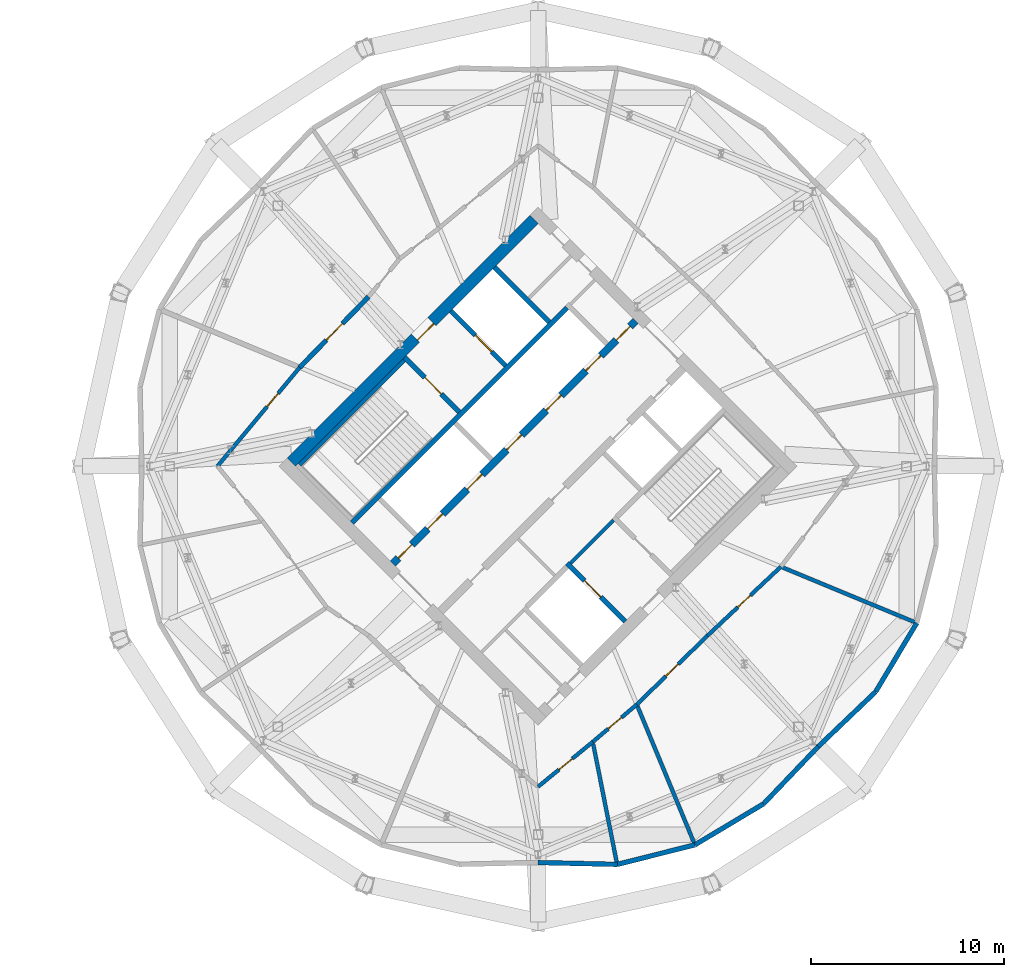
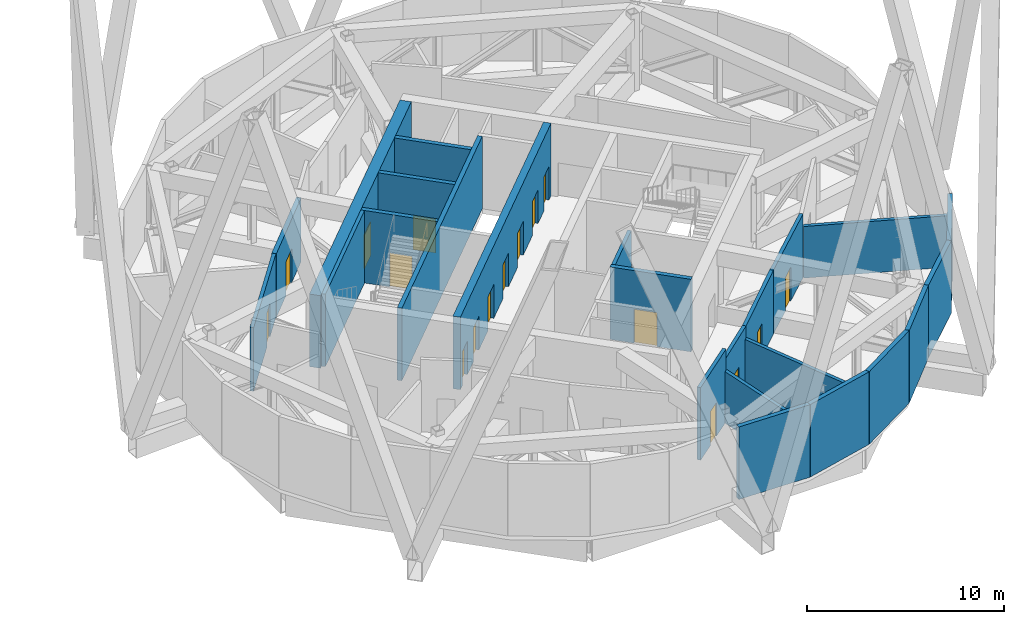
# One storey, part 16 of 19: 24 walls, 17 doors, 17 openings.
"""IFC4 building model written with IfcOpenShell, lengths in metres."""

from ifc_helpers import new_model, si_unit, direction, frame, frame_2d, origin, place, context, subcontext, project, spatial, rectangle, extrude, material, layer, layer_set, type_object, element, fill, save


model = new_model("IFC4")

# Units and contexts
model_context = context("Model", 3, precision=1e-05, world=origin(), true_north=direction((0.0, 1.0)))
body_context = subcontext(model_context, "Body", "Model", "MODEL_VIEW")
ifc_project = project(units=[si_unit("LENGTHUNIT", "METRE"), si_unit("AREAUNIT", "SQUARE_METRE"), si_unit("VOLUMEUNIT", "CUBIC_METRE"), si_unit("PLANEANGLEUNIT", "RADIAN"), si_unit("MASSUNIT", "GRAM", prefix="KILO")], contexts=[model_context])

# Site, building, storey
site_placement = place(None, origin())
site = spatial("IfcSite", under=ifc_project, at=site_placement, CompositionType="ELEMENT")
building_placement = place(site_placement, origin())
building = spatial("IfcBuilding", under=site, at=building_placement, Name="Ogive Gate Towers", CompositionType="ELEMENT")
storey_placement = place(building_placement, frame((0.0, 0.0, 216.300048828125)))
storey = spatial("IfcBuildingStorey", under=building, at=storey_placement, Name="L52", CompositionType="ELEMENT", Elevation=216.300048828125)

# Walls
ifc_material_1 = material(Name="Masonry blockwork", Category="masonry")
ifc_layer_1 = layer(ifc_material_1, 0.199951171875)
ifc_layer_set_1 = layer_set([ifc_layer_1], Name="Blockwork wall 200 mm")
wall_type_1 = type_object("IfcWallType", Name="Blockwork wall 200 mm", PredefinedType="PARTITIONING", material=ifc_layer_set_1)
wall_1_placement = place(storey_placement, frame((37.679443359375, -5.0380859375, 0.0), z_axis=(0.0, 0.0, 1.0), x_axis=(0.707106781187, 0.707106781187, 0.0)))
element("IfcWall", 1, at=wall_1_placement, inside=storey, type_object=wall_type_1, Name="T2 L52 Blockwork wall 200 mm", PredefinedType="PARTITIONING", context=body_context, shape_type="SweptSolid", body=[
    extrude(rectangle(XDim=3.14990234375, YDim=0.199951171875, at=frame_2d((1.574951171875, 0.0))), origin(), (0.0, 0.0, 1.0), 4.5),
])
ifc_material_2 = material(Name="Fire-rated block compartment wall")
ifc_layer_2 = layer(ifc_material_2, 0.199951171875)
ifc_layer_set_2 = layer_set([ifc_layer_2], Name="Compartment wall 200")
wall_type_2 = type_object("IfcWallType", Name="Compartment wall 200", PredefinedType="PARTITIONING", material=ifc_layer_set_2)
wall_2_placement = place(storey_placement, frame((40.10595703125, -20.685791015625, 0.0), z_axis=(0.0, 0.0, 1.0), x_axis=(-0.19470203168, 0.980862436257, 0.0)))
element("IfcWall", 2, at=wall_2_placement, inside=storey, type_object=wall_type_2, Name="Partition T2-L52-009", PredefinedType="PARTITIONING", context=body_context, shape_type="SweptSolid", body=[
    extrude(rectangle(XDim=6.40869140625, YDim=0.199951171875, at=frame_2d((3.204345703125, 0.0))), origin(), (0.0, 0.0, 1.0), 3.199951171875),
])
wall_3_placement = place(storey_placement, frame((44.147216796875, -19.66943359375, 0.0), z_axis=(0.0, 0.0, 1.0), x_axis=(-0.382669406082, 0.923885342263, 0.0)))
element("IfcWall", 3, at=wall_3_placement, inside=storey, type_object=wall_type_2, Name="Partition T2-L52-010", PredefinedType="PARTITIONING", context=body_context, shape_type="SweptSolid", body=[
    extrude(rectangle(XDim=7.80712890625, YDim=0.199951171875, at=frame_2d((3.903564453125, 0.0))), origin(), (0.0, 0.0, 1.0), 3.199951171875),
])
wall_4_placement = place(storey_placement, frame((55.66943359375, -8.147216796875, 0.0), z_axis=(0.0, 0.0, 1.0), x_axis=(-0.923887293008, 0.382664696331, 0.0)))
element("IfcWall", 4, at=wall_4_placement, inside=storey, type_object=wall_type_2, Name="Partition T2-L52-011", PredefinedType="PARTITIONING", context=body_context, shape_type="SweptSolid", body=[
    extrude(rectangle(XDim=7.55712890625, YDim=0.199951171875, at=frame_2d((3.778564453125, 0.0))), origin(), (0.0, 0.0, 1.0), 3.199951171875),
])

# Wall, opening, door
wall_5_placement = place(storey_placement, frame((23.635986328125, 5.121337890625, 0.0), z_axis=(0.0, 0.0, 1.0), x_axis=(-0.640015050964, -0.768362371892, 0.0)))
wall_5 = element("IfcWall", 5, at=wall_5_placement, inside=storey, type_object=wall_type_2, Name="Partition T2-L52-019", PredefinedType="PARTITIONING", context=body_context, shape_type="SweptSolid", body=[
    extrude(rectangle(XDim=6.665283203125, YDim=0.199951171875, at=frame_2d((3.33251953125, 0.0))), origin(), (0.0, 0.0, 1.0), 3.949951171875),
])
opening_1_placement = place(wall_5_placement, frame((1.75, 0.0, 0.0)))
opening_1 = element("IfcOpeningElement", 6, at=opening_1_placement, cuts=wall_5, Name="Opening T2-L52-D08", PredefinedType="OPENING", context=body_context, shape_type="SweptSolid", body=[
    extrude(rectangle(XDim=0.89990234375, YDim=2.10009765625, at=frame_2d((0.449951171875, 1.050048828125))), frame((0.0, 0.10986328125, 0.0), z_axis=(0.0, -1.0, 0.0), x_axis=(1.0, 0.0, 0.0)), (0.0, 0.0, 1.0), 0.219970703125),
])
ifc_material_3 = material(Name="Steel fire door", Category="steel")
door_type_1 = type_object("IfcDoorType", Name="Fire door 900 FD30S", OperationType="NOTDEFINED", PredefinedType="DOOR", material=ifc_material_3)
door_1_placement = place(opening_1_placement, origin())
door_1 = element("IfcDoor", 7, at=door_1_placement, inside=storey, type_object=door_type_1, Name="Door T2-L52-D08", OperationType="SINGLE_SWING_RIGHT", OverallHeight=2.10009765625, OverallWidth=0.89990234375, PredefinedType="DOOR", context=body_context, shape_type="SweptSolid", body=[
    extrude(rectangle(XDim=0.89990234375, YDim=2.10009765625, at=frame_2d((0.449951171875, 1.050048828125))), frame((0.0, 0.02490234375, 0.0), z_axis=(0.0, -1.0, 0.0), x_axis=(1.0, 0.0, 0.0)), (0.0, 0.0, 1.0), 0.050048828125),
])
fill(opening_1, door_1)

wall_6_placement = place(storey_placement, frame((36.0, -16.6298828125, 0.0), z_axis=(0.0, 0.0, 1.0), x_axis=(0.773201275561, 0.634160695306, 0.0)))
wall_6 = element("IfcWall", 8, at=wall_6_placement, inside=storey, type_object=wall_type_2, Name="Partition T2-L52-025", PredefinedType="PARTITIONING", context=body_context, shape_type="SweptSolid", body=[
    extrude(rectangle(XDim=3.671630859375, YDim=0.199951171875, at=frame_2d((1.8359375, 0.0))), origin(), (0.0, 0.0, 1.0), 4.5),
])
opening_2_placement = place(wall_6_placement, frame((1.39990234375, 0.0, 0.0)))
opening_2 = element("IfcOpeningElement", 9, at=opening_2_placement, cuts=wall_6, Name="Opening T2-L52-D14", PredefinedType="OPENING", context=body_context, shape_type="SweptSolid", body=[
    extrude(rectangle(XDim=0.89990234375, YDim=2.10009765625, at=frame_2d((0.449951171875, 1.050048828125))), frame((0.0, 0.10986328125, 0.0), z_axis=(0.0, -1.0, 0.0), x_axis=(1.0, 0.0, 0.0)), (0.0, 0.0, 1.0), 0.219970703125),
])
door_2_placement = place(opening_2_placement, origin())
door_2 = element("IfcDoor", 10, at=door_2_placement, inside=storey, type_object=door_type_1, Name="Door T2-L52-D14", OperationType="SINGLE_SWING_LEFT", OverallHeight=2.10009765625, OverallWidth=0.89990234375, PredefinedType="DOOR", context=body_context, shape_type="SweptSolid", body=[
    extrude(rectangle(XDim=0.89990234375, YDim=2.10009765625, at=frame_2d((0.449951171875, 1.050048828125))), frame((0.0, 0.02490234375, 0.0), z_axis=(0.0, -1.0, 0.0), x_axis=(1.0, 0.0, 0.0)), (0.0, 0.0, 1.0), 0.050048828125),
])
fill(opening_2, door_2)

wall_7_placement = place(storey_placement, frame((38.8388671875, -14.301513671875, 0.0), z_axis=(0.0, 0.0, 1.0), x_axis=(0.762367707989, 0.64714409355, 0.0)))
wall_7 = element("IfcWall", 11, at=wall_7_placement, inside=storey, type_object=wall_type_2, Name="Partition T2-L52-026", PredefinedType="PARTITIONING", context=body_context, shape_type="SweptSolid", body=[
    extrude(rectangle(XDim=2.993896484375, YDim=0.199951171875, at=frame_2d((1.4970703125, 0.0))), origin(), (0.0, 0.0, 1.0), 3.949951171875),
])
opening_3_placement = place(wall_7_placement, frame((1.050048828125, 0.0, 0.0)))
opening_3 = element("IfcOpeningElement", 12, at=opening_3_placement, cuts=wall_7, Name="Opening T2-L52-D15", PredefinedType="OPENING", context=body_context, shape_type="SweptSolid", body=[
    extrude(rectangle(XDim=0.89990234375, YDim=2.10009765625, at=frame_2d((0.449951171875, 1.050048828125))), frame((0.0, 0.10986328125, 0.0), z_axis=(0.0, -1.0, 0.0), x_axis=(1.0, 0.0, 0.0)), (0.0, 0.0, 1.0), 0.219970703125),
])
door_3_placement = place(opening_3_placement, origin())
door_3 = element("IfcDoor", 13, at=door_3_placement, inside=storey, type_object=door_type_1, Name="Door T2-L52-D15", OperationType="SINGLE_SWING_LEFT", OverallHeight=2.10009765625, OverallWidth=0.89990234375, PredefinedType="DOOR", context=body_context, shape_type="SweptSolid", body=[
    extrude(rectangle(XDim=0.89990234375, YDim=2.10009765625, at=frame_2d((0.449951171875, 1.050048828125))), frame((0.0, 0.02490234375, 0.0), z_axis=(0.0, -1.0, 0.0), x_axis=(1.0, 0.0, 0.0)), (0.0, 0.0, 1.0), 0.050048828125),
])
fill(opening_3, door_3)

wall_8_placement = place(storey_placement, frame((41.121337890625, -12.364013671875, 0.0), z_axis=(0.0, 0.0, 1.0), x_axis=(0.716387795338, 0.69770231954, 0.0)))
wall_8 = element("IfcWall", 14, at=wall_8_placement, inside=storey, type_object=wall_type_2, Name="Partition T2-L52-027", PredefinedType="PARTITIONING", context=body_context, shape_type="SweptSolid", body=[
    extrude(rectangle(XDim=5.121826171875, YDim=0.199951171875, at=frame_2d((2.56103515625, 0.0))), origin(), (0.0, 0.0, 1.0), 3.949951171875),
])
opening_4_placement = place(wall_8_placement, frame((2.10009765625, 0.0, 0.0)))
opening_4 = element("IfcOpeningElement", 15, at=opening_4_placement, cuts=wall_8, Name="Opening T2-L52-D16", PredefinedType="OPENING", context=body_context, shape_type="SweptSolid", body=[
    extrude(rectangle(XDim=0.89990234375, YDim=2.10009765625, at=frame_2d((0.449951171875, 1.050048828125))), frame((0.0, 0.10986328125, 0.0), z_axis=(0.0, -1.0, 0.0), x_axis=(1.0, 0.0, 0.0)), (0.0, 0.0, 1.0), 0.219970703125),
])
door_4_placement = place(opening_4_placement, origin())
door_4 = element("IfcDoor", 16, at=door_4_placement, inside=storey, type_object=door_type_1, Name="Door T2-L52-D16", OperationType="SINGLE_SWING_LEFT", OverallHeight=2.10009765625, OverallWidth=0.89990234375, PredefinedType="DOOR", context=body_context, shape_type="SweptSolid", body=[
    extrude(rectangle(XDim=0.89990234375, YDim=2.10009765625, at=frame_2d((0.449951171875, 1.050048828125))), frame((0.0, 0.02490234375, 0.0), z_axis=(0.0, -1.0, 0.0), x_axis=(1.0, 0.0, 0.0)), (0.0, 0.0, 1.0), 0.050048828125),
])
fill(opening_4, door_4)

wall_9_placement = place(storey_placement, frame((44.79052734375, -8.79052734375, 0.0), z_axis=(0.0, 0.0, 1.0), x_axis=(0.728906774939, 0.68461296617, 0.0)))
wall_9 = element("IfcWall", 17, at=wall_9_placement, inside=storey, type_object=wall_type_2, Name="Partition T2-L52-028", PredefinedType="PARTITIONING", context=body_context, shape_type="SweptSolid", body=[
    extrude(rectangle(XDim=5.2197265625, YDim=0.199951171875, at=frame_2d((2.60986328125, 0.0))), origin(), (0.0, 0.0, 1.0), 3.949951171875),
])
opening_5_placement = place(wall_9_placement, frame((2.14990234375, 0.0, 0.0)))
opening_5 = element("IfcOpeningElement", 18, at=opening_5_placement, cuts=wall_9, Name="Opening T2-L52-D17", PredefinedType="OPENING", context=body_context, shape_type="SweptSolid", body=[
    extrude(rectangle(XDim=0.89990234375, YDim=2.10009765625, at=frame_2d((0.449951171875, 1.050048828125))), frame((0.0, 0.10986328125, 0.0), z_axis=(0.0, -1.0, 0.0), x_axis=(1.0, 0.0, 0.0)), (0.0, 0.0, 1.0), 0.219970703125),
])
door_5_placement = place(opening_5_placement, origin())
door_5 = element("IfcDoor", 19, at=door_5_placement, inside=storey, type_object=door_type_1, Name="Door T2-L52-D17", OperationType="SINGLE_SWING_LEFT", OverallHeight=2.10009765625, OverallWidth=0.89990234375, PredefinedType="DOOR", context=body_context, shape_type="SweptSolid", body=[
    extrude(rectangle(XDim=0.89990234375, YDim=2.10009765625, at=frame_2d((0.449951171875, 1.050048828125))), frame((0.0, 0.02490234375, 0.0), z_axis=(0.0, -1.0, 0.0), x_axis=(1.0, 0.0, 0.0)), (0.0, 0.0, 1.0), 0.050048828125),
])
fill(opening_5, door_5)

ifc_material_4 = material(Name="Concrete C60/75", Category="concrete")
ifc_layer_3 = layer(ifc_material_4, 0.60009765625)
ifc_layer_set_3 = layer_set([ifc_layer_3], Name="Core wall 600 mm")
wall_type_3 = type_object("IfcWallType", Name="Core wall 600 mm", PredefinedType="SHEAR", material=ifc_layer_set_3)
wall_10_placement = place(storey_placement, frame((23.201416015625, 0.212158203125, 0.0), z_axis=(0.0, 0.0, 1.0), x_axis=(0.707106781187, 0.707106781187, 0.0)))
wall_10 = element("IfcWall", 20, at=wall_10_placement, inside=storey, type_object=wall_type_3, Name="T2 L52 Core wall 600 mm", PredefinedType="SHEAR", context=body_context, shape_type="SweptSolid", body=[
    extrude(rectangle(XDim=17.7998046875, YDim=0.60009765625, at=frame_2d((8.89990234375, 0.0))), origin(), (0.0, 0.0, 1.0), 4.5),
])
opening_6_placement = place(wall_10_placement, frame((9.10009765625, 0.0, 0.0)))
opening_6 = element("IfcOpeningElement", 21, at=opening_6_placement, cuts=wall_10, Name="Opening KD-T2-L52-18", PredefinedType="OPENING", context=body_context, shape_type="SweptSolid", body=[
    extrude(rectangle(XDim=1.199951171875, YDim=2.10009765625, at=frame_2d((0.60009765625, 1.050048828125))), frame((0.0, 0.31005859375, 0.0), z_axis=(0.0, -1.0, 0.0), x_axis=(1.0, 0.0, 0.0)), (0.0, 0.0, 1.0), 0.6201171875),
])
door_type_2 = type_object("IfcDoorType", Name="Core door FD60S 1200 x 2100", OperationType="NOTDEFINED", PredefinedType="DOOR", material=ifc_material_3)
door_6_placement = place(opening_6_placement, origin())
door_6 = element("IfcDoor", 22, at=door_6_placement, inside=storey, type_object=door_type_2, Name="T2 L52 Fire-fighting lobby door", OperationType="SINGLE_SWING_LEFT", OverallHeight=2.10009765625, OverallWidth=1.199951171875, PredefinedType="DOOR", context=body_context, shape_type="SweptSolid", body=[
    extrude(rectangle(XDim=1.199951171875, YDim=2.10009765625, at=frame_2d((0.60009765625, 1.050048828125))), frame((0.0, -0.125, 0.0), z_axis=(0.0, -1.0, 0.0), x_axis=(1.0, 0.0, 0.0)), (0.0, 0.0, 1.0), 0.050048828125),
])
fill(opening_6, door_6)

# Walls
ifc_material_5 = material(Name="Pale metal aluminium louvre", Category="aluminium")
ifc_layer_4 = layer(ifc_material_5, 0.25)
ifc_layer_set_4 = layer_set([ifc_layer_4], Name="Plant louvre wall")
wall_type_4 = type_object("IfcWallType", Name="Plant louvre wall", PredefinedType="SOLIDWALL", material=ifc_layer_set_4)
wall_11_placement = place(storey_placement, frame((36.0, -20.56494140625, 0.0), z_axis=(0.0, 0.0, 1.0), x_axis=(0.999734707572, -0.02303289986, 0.0)))
element("IfcWall", 23, at=wall_11_placement, inside=storey, type_object=wall_type_4, Name="Plant louvre wall", PredefinedType="SOLIDWALL", context=body_context, shape_type="SweptSolid", body=[
    extrude(rectangle(XDim=4.112548828125, YDim=0.25, at=frame_2d((2.05615234375, 0.0))), origin(), (0.0, 0.0, 1.0), 4.5),
])
wall_12_placement = place(storey_placement, frame((40.111572265625, -20.65966796875, 0.0), z_axis=(0.0, 0.0, 1.0), x_axis=(0.969736439751, 0.244154126363, 0.0)))
element("IfcWall", 24, at=wall_12_placement, inside=storey, type_object=wall_type_4, Name="Plant louvre wall", PredefinedType="SOLIDWALL", context=body_context, shape_type="SweptSolid", body=[
    extrude(rectangle(XDim=4.15185546875, YDim=0.25, at=frame_2d((2.075927734375, 0.0))), origin(), (0.0, 0.0, 1.0), 4.5),
])
wall_13_placement = place(storey_placement, frame((44.1376953125, -19.64599609375, 0.0), z_axis=(0.0, 0.0, 1.0), x_axis=(0.858363438852, 0.513042110204, 0.0)))
element("IfcWall", 25, at=wall_13_placement, inside=storey, type_object=wall_type_4, Name="Plant louvre wall", PredefinedType="SOLIDWALL", context=body_context, shape_type="SweptSolid", body=[
    extrude(rectangle(XDim=4.1513671875, YDim=0.25, at=frame_2d((2.07568359375, 0.0))), origin(), (0.0, 0.0, 1.0), 4.5),
])
for number, where, z_axis, x_axis, name in (
    (26, (47.701171875, -17.51611328125, 0.0), (0.0, 0.0, 1.0), (0.690594329072, 0.723242333283, 0.0), "Plant louvre wall"),
    (27, (50.54150390625, -14.54150390625, 0.0), (0.0, 0.0, 1.0), (0.723242333283, 0.690594329072, 0.0), "Plant louvre wall"),
):
    element("IfcWall", number, at=place(storey_placement, frame(where, z_axis=z_axis, x_axis=x_axis)), inside=storey, type_object=wall_type_4, Name=name, PredefinedType="SOLIDWALL", context=body_context, shape_type="SweptSolid", body=[
        extrude(rectangle(XDim=4.11279296875, YDim=0.25, at=frame_2d((2.056396484375, 0.0))), origin(), (0.0, 0.0, 1.0), 4.5),
    ])
wall_14_placement = place(storey_placement, frame((53.51611328125, -11.701171875, 0.0), z_axis=(0.0, 0.0, 1.0), x_axis=(0.513042110204, 0.858363438852, 0.0)))
element("IfcWall", 28, at=wall_14_placement, inside=storey, type_object=wall_type_4, Name="Plant louvre wall", PredefinedType="SOLIDWALL", context=body_context, shape_type="SweptSolid", body=[
    extrude(rectangle(XDim=4.1513671875, YDim=0.25, at=frame_2d((2.07568359375, 0.0))), origin(), (0.0, 0.0, 1.0), 4.5),
])

# Wall, opening, door
ifc_material_6 = material(Name="Fire-rated concrete block wall", Category="concrete")
ifc_layer_5 = layer(ifc_material_6, 0.25)
ifc_layer_set_5 = layer_set([ifc_layer_5], Name="Refuge compartment wall 250")
wall_type_5 = type_object("IfcWallType", Name="Refuge compartment wall 250", PredefinedType="PARTITIONING", material=ifc_layer_set_5)
wall_15_placement = place(storey_placement, frame((27.20947265625, 8.79052734375, 0.0), z_axis=(0.0, 0.0, 1.0), x_axis=(-0.69770231954, -0.716387795338, 0.0)))
wall_15 = element("IfcWall", 29, at=wall_15_placement, inside=storey, type_object=wall_type_5, Name="Partition T2-L52-018", PredefinedType="PARTITIONING", context=body_context, shape_type="SweptSolid", body=[
    extrude(rectangle(XDim=5.121826171875, YDim=0.25, at=frame_2d((2.56103515625, 0.0))), origin(), (0.0, 0.0, 1.0), 3.949951171875),
])
opening_7_placement = place(wall_15_placement, frame((1.949951171875, 0.0, 0.0)))
opening_7 = element("IfcOpeningElement", 30, at=opening_7_placement, cuts=wall_15, Name="Opening T2-L52-D07", PredefinedType="OPENING", context=body_context, shape_type="SweptSolid", body=[
    extrude(rectangle(XDim=1.199951171875, YDim=2.10009765625, at=frame_2d((0.60009765625, 1.050048828125))), frame((0.0, 0.135009765625, 0.0), z_axis=(0.0, -1.0, 0.0), x_axis=(1.0, 0.0, 0.0)), (0.0, 0.0, 1.0), 0.27001953125),
])
door_type_3 = type_object("IfcDoorType", Name="Fire door 1200 FD60S", OperationType="NOTDEFINED", PredefinedType="DOOR", material=ifc_material_3)
door_7_placement = place(opening_7_placement, origin())
door_7 = element("IfcDoor", 31, at=door_7_placement, inside=storey, type_object=door_type_3, Name="Door T2-L52-D07", OperationType="SINGLE_SWING_LEFT", OverallHeight=2.10009765625, OverallWidth=1.199951171875, PredefinedType="DOOR", context=body_context, shape_type="SweptSolid", body=[
    extrude(rectangle(XDim=1.199951171875, YDim=2.10009765625, at=frame_2d((0.60009765625, 1.050048828125))), frame((0.0, 0.02490234375, 0.0), z_axis=(0.0, -1.0, 0.0), x_axis=(1.0, 0.0, 0.0)), (0.0, 0.0, 1.0), 0.050048828125),
])
fill(opening_7, door_7)

# Wall
ifc_layer_6 = layer(ifc_material_4, 0.25)
ifc_layer_set_6 = layer_set([ifc_layer_6], Name="Shaft wall 250 mm")
wall_type_6 = type_object("IfcWallType", Name="Shaft wall 250 mm", PredefinedType="SHEAR", material=ifc_layer_set_6)
wall_16_placement = place(storey_placement, frame((26.347900390625, -2.9345703125, 0.0), z_axis=(0.0, 0.0, 1.0), x_axis=(0.707106781187, 0.707106781187, 0.0)))
element("IfcWall", 32, at=wall_16_placement, inside=storey, type_object=wall_type_6, Name="T2 L52 Shaft wall 250 mm", PredefinedType="SHEAR", context=body_context, shape_type="SweptSolid", body=[
    extrude(rectangle(XDim=15.775146484375, YDim=0.25, at=frame_2d((7.8876953125, 0.0))), origin(), (0.0, 0.0, 1.0), 4.5),
])

# Wall, opening, door
wall_17_placement = place(storey_placement, frame((40.525390625, -8.06103515625, 0.0), z_axis=(0.0, 0.0, 1.0), x_axis=(-0.707078225638, 0.707135335582, 0.0)))
wall_17 = element("IfcWall", 33, at=wall_17_placement, inside=storey, type_object=wall_type_6, Name="T2 L52 Shaft wall 250 mm", PredefinedType="SHEAR", context=body_context, shape_type="SweptSolid", body=[
    extrude(rectangle(XDim=4.27490234375, YDim=0.25, at=frame_2d((2.137451171875, 0.0))), origin(), (0.0, 0.0, 1.0), 4.5),
])
opening_8_placement = place(wall_17_placement, frame((1.800048828125, 0.0, 0.0)))
opening_8 = element("IfcOpeningElement", 34, at=opening_8_placement, cuts=wall_17, Name="Opening LD-T2-L52-13", PredefinedType="OPENING", context=body_context, shape_type="SweptSolid", body=[
    extrude(rectangle(XDim=1.199951171875, YDim=2.10009765625, at=frame_2d((0.60009765625, 1.050048828125))), frame((0.0, 0.135009765625, 0.0), z_axis=(0.0, -1.0, 0.0), x_axis=(1.0, 0.0, 0.0)), (0.0, 0.0, 1.0), 0.27001953125),
])
ifc_material_7 = material(Name="Stainless steel landing door", Category="steel")
door_type_4 = type_object("IfcDoorType", Name="Landing door 1200 x 2100", OperationType="SLIDING_TO_LEFT", PredefinedType="DOOR", material=ifc_material_7)
door_8_placement = place(opening_8_placement, origin())
door_8 = element("IfcDoor", 35, at=door_8_placement, inside=storey, type_object=door_type_4, Name="T2 L52 Lift landing door FF2", OperationType="SLIDING_TO_LEFT", OverallHeight=2.10009765625, OverallWidth=1.199951171875, PredefinedType="DOOR", context=body_context, shape_type="SweptSolid", body=[
    extrude(rectangle(XDim=1.199951171875, YDim=2.10009765625, at=frame_2d((0.60009765625, 1.050048828125))), frame((0.0, 0.02490234375, 0.0), z_axis=(0.0, -1.0, 0.0), x_axis=(1.0, 0.0, 0.0)), (0.0, 0.0, 1.0), 0.050048828125),
])
fill(opening_8, door_8)

wall_18_placement = place(storey_placement, frame((31.91650390625, 2.810791015625, 0.0), z_axis=(0.0, 0.0, 1.0), x_axis=(-0.707106781187, 0.707106781187, 0.0)))
wall_18 = element("IfcWall", 36, at=wall_18_placement, inside=storey, type_object=wall_type_6, Name="T2 L52 Shaft wall 250 mm", PredefinedType="SHEAR", context=body_context, shape_type="SweptSolid", body=[
    extrude(rectangle(XDim=4.025146484375, YDim=0.25, at=frame_2d((2.0126953125, 0.0))), origin(), (0.0, 0.0, 1.0), 4.5),
])
opening_9_placement = place(wall_18_placement, frame((1.324951171875, 0.0, 0.0)))
opening_9 = element("IfcOpeningElement", 37, at=opening_9_placement, cuts=wall_18, Name="Opening KD-T2-L52-16", PredefinedType="OPENING", context=body_context, shape_type="SweptSolid", body=[
    extrude(rectangle(XDim=1.199951171875, YDim=2.10009765625, at=frame_2d((0.60009765625, 1.050048828125))), frame((0.0, 0.135009765625, 0.0), z_axis=(0.0, -1.0, 0.0), x_axis=(1.0, 0.0, 0.0)), (0.0, 0.0, 1.0), 0.27001953125),
])
door_9_placement = place(opening_9_placement, origin())
door_9 = element("IfcDoor", 38, at=door_9_placement, inside=storey, type_object=door_type_2, Name="T2 L52 Stair door", OperationType="SINGLE_SWING_LEFT", OverallHeight=2.10009765625, OverallWidth=1.199951171875, PredefinedType="DOOR", context=body_context, shape_type="SweptSolid", body=[
    extrude(rectangle(XDim=1.199951171875, YDim=2.10009765625, at=frame_2d((0.60009765625, 1.050048828125))), frame((0.0, 0.02490234375, 0.0), z_axis=(0.0, -1.0, 0.0), x_axis=(1.0, 0.0, 0.0)), (0.0, 0.0, 1.0), 0.050048828125),
])
fill(opening_9, door_9)

wall_19_placement = place(storey_placement, frame((34.320556640625, 5.21484375, 0.0), z_axis=(0.0, 0.0, 1.0), x_axis=(-0.70707645213, 0.707137108942, 0.0)))
wall_19 = element("IfcWall", 39, at=wall_19_placement, inside=storey, type_object=wall_type_6, Name="T2 L52 Shaft wall 250 mm", PredefinedType="SHEAR", context=body_context, shape_type="SweptSolid", body=[
    extrude(rectangle(XDim=4.02490234375, YDim=0.25, at=frame_2d((2.012451171875, 0.0))), origin(), (0.0, 0.0, 1.0), 4.5),
])
opening_10_placement = place(wall_19_placement, frame((1.02490234375, 0.0, 0.0)))
opening_10 = element("IfcOpeningElement", 40, at=opening_10_placement, cuts=wall_19, Name="Opening LD-T2-L52-12", PredefinedType="OPENING", context=body_context, shape_type="SweptSolid", body=[
    extrude(rectangle(XDim=1.199951171875, YDim=2.10009765625, at=frame_2d((0.60009765625, 1.050048828125))), frame((0.0, 0.135009765625, 0.0), z_axis=(0.0, -1.0, 0.0), x_axis=(1.0, 0.0, 0.0)), (0.0, 0.0, 1.0), 0.27001953125),
])
door_10_placement = place(opening_10_placement, origin())
door_10 = element("IfcDoor", 41, at=door_10_placement, inside=storey, type_object=door_type_4, Name="T2 L52 Lift landing door FF1", OperationType="SLIDING_TO_LEFT", OverallHeight=2.10009765625, OverallWidth=1.199951171875, PredefinedType="DOOR", context=body_context, shape_type="SweptSolid", body=[
    extrude(rectangle(XDim=1.199951171875, YDim=2.10009765625, at=frame_2d((0.60009765625, 1.050048828125))), frame((0.0, 0.02490234375, 0.0), z_axis=(0.0, -1.0, 0.0), x_axis=(1.0, 0.0, 0.0)), (0.0, 0.0, 1.0), 0.050048828125),
])
fill(opening_10, door_10)

# Wall
wall_20_placement = place(storey_placement, frame((36.58349609375, 7.477783203125, 0.0), z_axis=(0.0, 0.0, 1.0), x_axis=(-0.707137108942, 0.70707645213, 0.0)))
element("IfcWall", 42, at=wall_20_placement, inside=storey, type_object=wall_type_6, Name="T2 L52 Shaft wall 250 mm", PredefinedType="SHEAR", context=body_context, shape_type="SweptSolid", body=[
    extrude(rectangle(XDim=4.02490234375, YDim=0.25, at=frame_2d((2.012451171875, 0.0))), origin(), (0.0, 0.0, 1.0), 4.5),
])

# Wall, openings, doors
ifc_layer_7 = layer(ifc_material_4, 0.39990234375)
ifc_layer_set_7 = layer_set([ifc_layer_7], Name="Spine wall 400 mm")
wall_type_7 = type_object("IfcWallType", Name="Spine wall 400 mm", PredefinedType="SHEAR", material=ifc_layer_set_7)
wall_21_placement = place(storey_placement, frame((28.46923828125, -5.055908203125, 0.0), z_axis=(0.0, 0.0, 1.0), x_axis=(0.707106781187, 0.707106781187, 0.0)))
wall_21 = element("IfcWall", 43, at=wall_21_placement, inside=storey, type_object=wall_type_7, Name="T2 L52 Spine wall 400 mm", PredefinedType="SHEAR", context=body_context, shape_type="SweptSolid", body=[
    extrude(rectangle(XDim=17.80029296875, YDim=0.39990234375, at=frame_2d((8.900146484375, 0.0))), origin(), (0.0, 0.0, 1.0), 4.5),
])
opening_11_placement = place(wall_21_placement, frame((0.39990234375, 0.0, 0.0)))
opening_11 = element("IfcOpeningElement", 44, at=opening_11_placement, cuts=wall_21, Name="Opening KD-T2-L52-03", PredefinedType="OPENING", context=body_context, shape_type="SweptSolid", body=[
    extrude(rectangle(XDim=1.0, YDim=2.10009765625, at=frame_2d((0.5, 1.050048828125))), frame((0.0, 0.2099609375, 0.0), z_axis=(0.0, -1.0, 0.0), x_axis=(1.0, 0.0, 0.0)), (0.0, 0.0, 1.0), 0.419921875),
])
opening_12_placement = place(wall_21_placement, frame((2.550048828125, 0.0, 0.0)))
opening_12 = element("IfcOpeningElement", 45, at=opening_12_placement, cuts=wall_21, Name="Opening LD-T2-L52-04", PredefinedType="OPENING", context=body_context, shape_type="SweptSolid", body=[
    extrude(rectangle(XDim=1.10009765625, YDim=2.10009765625, at=frame_2d((0.550048828125, 1.050048828125))), frame((0.0, 0.2099609375, 0.0), z_axis=(0.0, -1.0, 0.0), x_axis=(1.0, 0.0, 0.0)), (0.0, 0.0, 1.0), 0.419921875),
])
opening_13_placement = place(wall_21_placement, frame((5.449951171875, 0.0, 0.0)))
opening_13 = element("IfcOpeningElement", 46, at=opening_13_placement, cuts=wall_21, Name="Opening LD-T2-L52-05", PredefinedType="OPENING", context=body_context, shape_type="SweptSolid", body=[
    extrude(rectangle(XDim=1.10009765625, YDim=2.10009765625, at=frame_2d((0.550048828125, 1.050048828125))), frame((0.0, 0.2099609375, 0.0), z_axis=(0.0, -1.0, 0.0), x_axis=(1.0, 0.0, 0.0)), (0.0, 0.0, 1.0), 0.419921875),
])
opening_14_placement = place(wall_21_placement, frame((8.35009765625, 0.0, 0.0)))
opening_14 = element("IfcOpeningElement", 47, at=opening_14_placement, cuts=wall_21, Name="Opening LD-T2-L52-06", PredefinedType="OPENING", context=body_context, shape_type="SweptSolid", body=[
    extrude(rectangle(XDim=1.10009765625, YDim=2.10009765625, at=frame_2d((0.550048828125, 1.050048828125))), frame((0.0, 0.2099609375, 0.0), z_axis=(0.0, -1.0, 0.0), x_axis=(1.0, 0.0, 0.0)), (0.0, 0.0, 1.0), 0.419921875),
])
opening_15_placement = place(wall_21_placement, frame((11.25, 0.0, 0.0)))
opening_15 = element("IfcOpeningElement", 48, at=opening_15_placement, cuts=wall_21, Name="Opening LD-T2-L52-07", PredefinedType="OPENING", context=body_context, shape_type="SweptSolid", body=[
    extrude(rectangle(XDim=1.10009765625, YDim=2.10009765625, at=frame_2d((0.550048828125, 1.050048828125))), frame((0.0, 0.2099609375, 0.0), z_axis=(0.0, -1.0, 0.0), x_axis=(1.0, 0.0, 0.0)), (0.0, 0.0, 1.0), 0.419921875),
])
opening_16_placement = place(wall_21_placement, frame((14.14990234375, 0.0, 0.0)))
opening_16 = element("IfcOpeningElement", 49, at=opening_16_placement, cuts=wall_21, Name="Opening LD-T2-L52-08", PredefinedType="OPENING", context=body_context, shape_type="SweptSolid", body=[
    extrude(rectangle(XDim=1.10009765625, YDim=2.10009765625, at=frame_2d((0.550048828125, 1.050048828125))), frame((0.0, 0.2099609375, 0.0), z_axis=(0.0, -1.0, 0.0), x_axis=(1.0, 0.0, 0.0)), (0.0, 0.0, 1.0), 0.419921875),
])
opening_17_placement = place(wall_21_placement, frame((16.39990234375, 0.0, 0.0)))
opening_17 = element("IfcOpeningElement", 50, at=opening_17_placement, cuts=wall_21, Name="Opening KD-T2-L52-09", PredefinedType="OPENING", context=body_context, shape_type="SweptSolid", body=[
    extrude(rectangle(XDim=1.0, YDim=2.10009765625, at=frame_2d((0.5, 1.050048828125))), frame((0.0, 0.2099609375, 0.0), z_axis=(0.0, -1.0, 0.0), x_axis=(1.0, 0.0, 0.0)), (0.0, 0.0, 1.0), 0.419921875),
])
door_type_5 = type_object("IfcDoorType", Name="Core door FD60S 1000 x 2100", OperationType="NOTDEFINED", PredefinedType="DOOR", material=ifc_material_3)
door_11_placement = place(opening_11_placement, origin())
door_11 = element("IfcDoor", 51, at=door_11_placement, inside=storey, type_object=door_type_5, Name="T2 L52 Core door", OperationType="SINGLE_SWING_RIGHT", OverallHeight=2.10009765625, OverallWidth=1.0, PredefinedType="DOOR", context=body_context, shape_type="SweptSolid", body=[
    extrude(rectangle(XDim=1.0, YDim=2.10009765625, at=frame_2d((0.5, 1.050048828125))), frame((0.0, 0.02490234375, 0.0), z_axis=(0.0, -1.0, 0.0), x_axis=(1.0, 0.0, 0.0)), (0.0, 0.0, 1.0), 0.050048828125),
])
fill(opening_11, door_11)
door_12_placement = place(opening_17_placement, origin())
door_12 = element("IfcDoor", 52, at=door_12_placement, inside=storey, type_object=door_type_5, Name="T2 L52 Core door", OperationType="SINGLE_SWING_RIGHT", OverallHeight=2.10009765625, OverallWidth=1.0, PredefinedType="DOOR", context=body_context, shape_type="SweptSolid", body=[
    extrude(rectangle(XDim=1.0, YDim=2.10009765625, at=frame_2d((0.5, 1.050048828125))), frame((0.0, 0.02490234375, 0.0), z_axis=(0.0, -1.0, 0.0), x_axis=(1.0, 0.0, 0.0)), (0.0, 0.0, 1.0), 0.050048828125),
])
fill(opening_17, door_12)
door_type_6 = type_object("IfcDoorType", Name="Landing door 1100 x 2100", OperationType="SLIDING_TO_LEFT", PredefinedType="DOOR", material=ifc_material_7)
door_13_placement = place(opening_12_placement, origin())
door_13 = element("IfcDoor", 53, at=door_13_placement, inside=storey, type_object=door_type_6, Name="T2 L52 Lift landing door B1", OperationType="SLIDING_TO_LEFT", OverallHeight=2.10009765625, OverallWidth=1.10009765625, PredefinedType="DOOR", context=body_context, shape_type="SweptSolid", body=[
    extrude(rectangle(XDim=1.10009765625, YDim=2.10009765625, at=frame_2d((0.550048828125, 1.050048828125))), frame((0.0, 0.02490234375, 0.0), z_axis=(0.0, -1.0, 0.0), x_axis=(1.0, 0.0, 0.0)), (0.0, 0.0, 1.0), 0.050048828125),
])
fill(opening_12, door_13)
door_14_placement = place(opening_13_placement, origin())
door_14 = element("IfcDoor", 54, at=door_14_placement, inside=storey, type_object=door_type_6, Name="T2 L52 Lift landing door B2", OperationType="SLIDING_TO_LEFT", OverallHeight=2.10009765625, OverallWidth=1.10009765625, PredefinedType="DOOR", context=body_context, shape_type="SweptSolid", body=[
    extrude(rectangle(XDim=1.10009765625, YDim=2.10009765625, at=frame_2d((0.550048828125, 1.050048828125))), frame((0.0, 0.02490234375, 0.0), z_axis=(0.0, -1.0, 0.0), x_axis=(1.0, 0.0, 0.0)), (0.0, 0.0, 1.0), 0.050048828125),
])
fill(opening_13, door_14)
door_15_placement = place(opening_14_placement, origin())
door_15 = element("IfcDoor", 55, at=door_15_placement, inside=storey, type_object=door_type_6, Name="T2 L52 Lift landing door B3", OperationType="SLIDING_TO_LEFT", OverallHeight=2.10009765625, OverallWidth=1.10009765625, PredefinedType="DOOR", context=body_context, shape_type="SweptSolid", body=[
    extrude(rectangle(XDim=1.10009765625, YDim=2.10009765625, at=frame_2d((0.550048828125, 1.050048828125))), frame((0.0, 0.02490234375, 0.0), z_axis=(0.0, -1.0, 0.0), x_axis=(1.0, 0.0, 0.0)), (0.0, 0.0, 1.0), 0.050048828125),
])
fill(opening_14, door_15)
door_16_placement = place(opening_15_placement, origin())
door_16 = element("IfcDoor", 56, at=door_16_placement, inside=storey, type_object=door_type_6, Name="T2 L52 Lift landing door B4", OperationType="SLIDING_TO_LEFT", OverallHeight=2.10009765625, OverallWidth=1.10009765625, PredefinedType="DOOR", context=body_context, shape_type="SweptSolid", body=[
    extrude(rectangle(XDim=1.10009765625, YDim=2.10009765625, at=frame_2d((0.550048828125, 1.050048828125))), frame((0.0, 0.02490234375, 0.0), z_axis=(0.0, -1.0, 0.0), x_axis=(1.0, 0.0, 0.0)), (0.0, 0.0, 1.0), 0.050048828125),
])
fill(opening_15, door_16)
door_17_placement = place(opening_16_placement, origin())
door_17 = element("IfcDoor", 57, at=door_17_placement, inside=storey, type_object=door_type_6, Name="T2 L52 Lift landing door B5", OperationType="SLIDING_TO_LEFT", OverallHeight=2.10009765625, OverallWidth=1.10009765625, PredefinedType="DOOR", context=body_context, shape_type="SweptSolid", body=[
    extrude(rectangle(XDim=1.10009765625, YDim=2.10009765625, at=frame_2d((0.550048828125, 1.050048828125))), frame((0.0, 0.02490234375, 0.0), z_axis=(0.0, -1.0, 0.0), x_axis=(1.0, 0.0, 0.0)), (0.0, 0.0, 1.0), 0.050048828125),
])
fill(opening_16, door_17)

# Wall
ifc_layer_8 = layer(ifc_material_4, 0.199951171875)
ifc_layer_set_8 = layer_set([ifc_layer_8], Name="Stair wall 200 mm")
wall_type_8 = type_object("IfcWallType", Name="Stair wall 200 mm", PredefinedType="SHEAR", material=ifc_layer_set_8)
wall_22_placement = place(storey_placement, frame((23.62548828125, 0.07080078125, 0.0), z_axis=(0.0, 0.0, 1.0), x_axis=(0.707122685701, 0.707090876314, 0.0)))
element("IfcWall", 58, at=wall_22_placement, inside=storey, type_object=wall_type_8, Name="T2 L52 Stair wall 200 mm", PredefinedType="SHEAR", context=body_context, shape_type="SweptSolid", body=[
    extrude(rectangle(XDim=7.675048828125, YDim=0.199951171875, at=frame_2d((3.83740234375, 0.0))), origin(), (0.0, 0.0, 1.0), 4.5),
])

save(model, "model.ifc")
